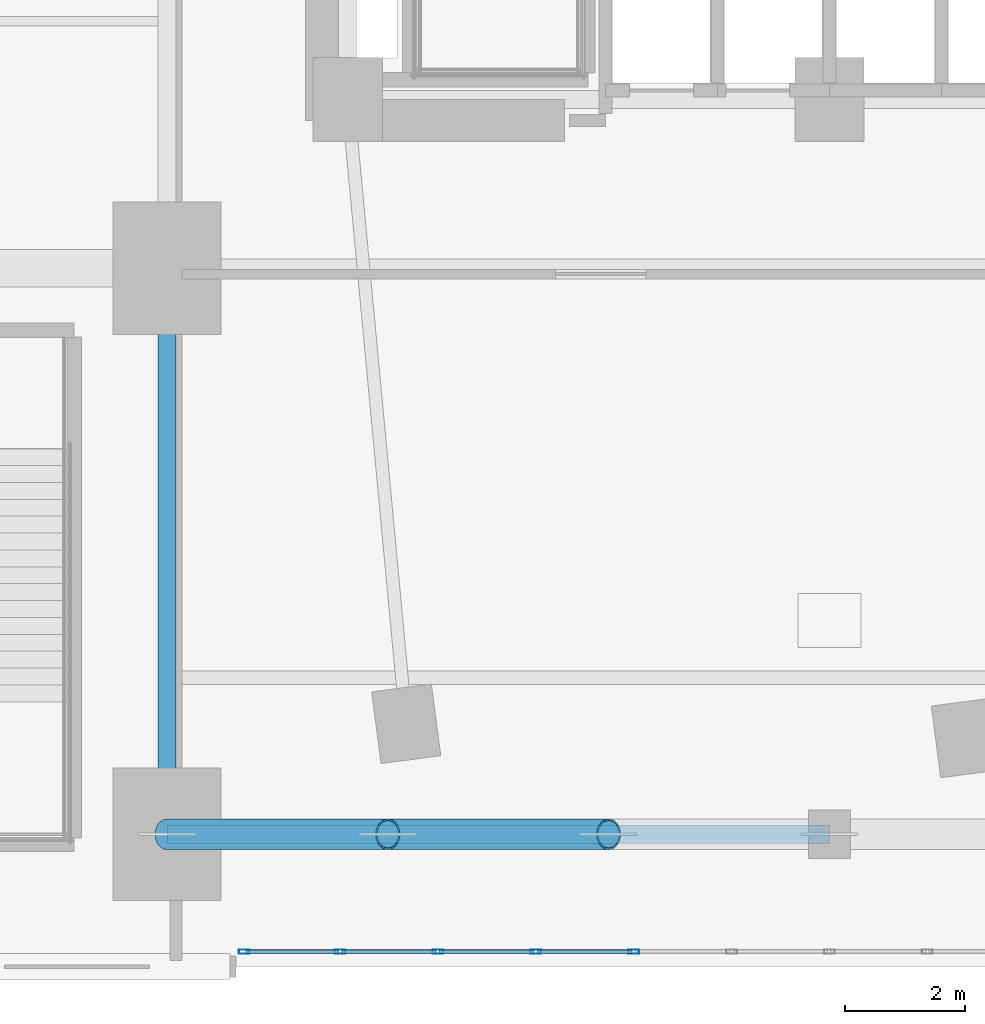
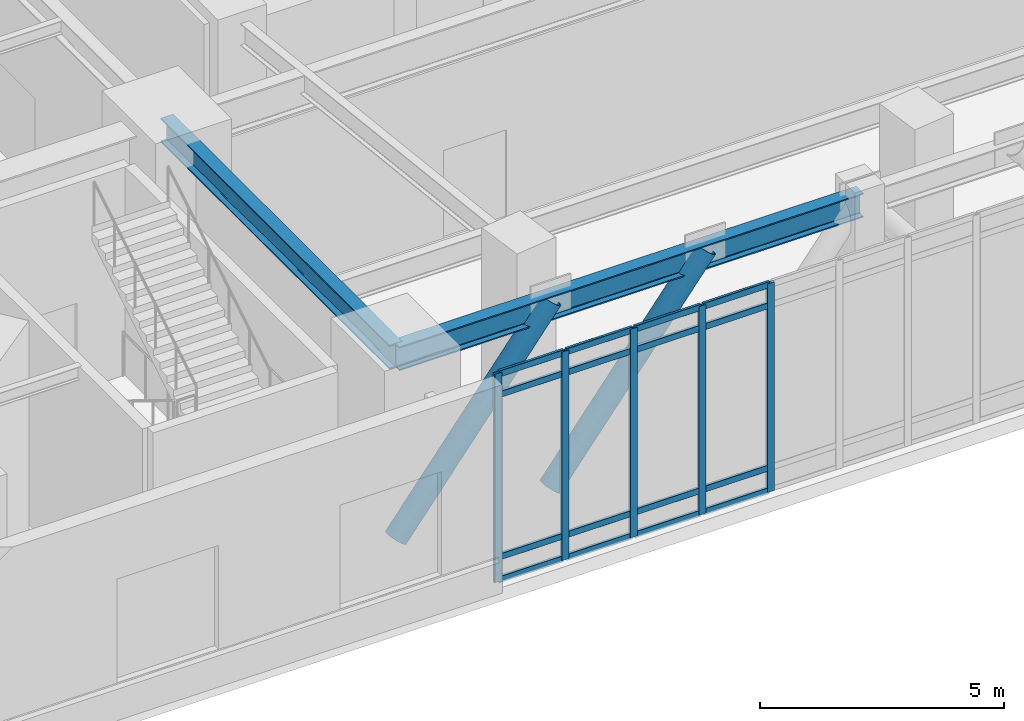
# One storey, part 2 of 19: 23 members, 2 beams, 1 element without a shape of its own.
"""IFC4 building model written with IfcOpenShell, lengths in metres."""

from ifc_helpers import new_model, si_unit, direction, frame, origin, origin_2d, place, context, subcontext, project, spatial, hollow_rectangle, hollow_circle, i_section, extrude, material, layer, layer_set, material_profile, profile_set, type_object, element, aggregate, save


model = new_model("IFC4")

# Units and contexts
model_context = context("Model", 3, precision=1e-05, world=origin(), true_north=direction((0.0, 1.0)))
body_context = subcontext(model_context, "Body", "Model", "MODEL_VIEW")
ifc_project = project(units=[si_unit("LENGTHUNIT", "METRE"), si_unit("AREAUNIT", "SQUARE_METRE"), si_unit("VOLUMEUNIT", "CUBIC_METRE"), si_unit("PLANEANGLEUNIT", "RADIAN"), si_unit("MASSUNIT", "GRAM", prefix="KILO")], contexts=[model_context])

# Site, building, storey
site_placement = place(None, origin())
site = spatial("IfcSite", under=ifc_project, at=site_placement, CompositionType="ELEMENT")
building_placement = place(site_placement, origin())
building = spatial("IfcBuilding", under=site, at=building_placement, Name="Ndelora Gate Hotel", CompositionType="ELEMENT")
storey_placement = place(building_placement, frame((0.0, 0.0, 16.0)))
storey = spatial("IfcBuildingStorey", under=building, at=storey_placement, Name="L03", CompositionType="ELEMENT", Elevation=16.0)

# Beams
ifc_material_1 = material(Name="Steel S355", Category="steel")
ifc_material_profile_1 = material_profile(ifc_material_1, i_section(OverallWidth=0.300048828125, OverallDepth=0.60009765625, WebThickness=0.015380859375, FlangeThickness=0.030029296875, FilletRadius=0.027099609375, at=origin_2d()), Name="HEB 600")
ifc_profile_set_1 = profile_set([ifc_material_profile_1], Name="Steel S355")
beam_type = type_object("IfcBeamType", Name="BM-POD-600", PredefinedType="BEAM", material=ifc_profile_set_1)
beam_1_placement = place(storey_placement, frame((-11.0, -18.800048828125, 4.919921875), z_axis=(0.0, 1.0, 0.0), x_axis=(-1.0, 0.0, 0.0)))
element("IfcBeam", 1, at=beam_1_placement, inside=storey, type_object=beam_type, Name="L03 Podium Longitudinal Girder X=-11.0", PredefinedType="BEAM", context=body_context, shape_type="SweptSolid", body=[
    extrude(i_section(OverallWidth=0.300048828125, OverallDepth=0.60009765625, WebThickness=0.015380859375, FlangeThickness=0.030029296875, FilletRadius=0.027099609375, at=origin_2d()), origin(), (0.0, 0.0, 1.0), 9.400146484375),
])
beam_2_placement = place(storey_placement, frame((-11.0, -18.800048828125, 4.919921875), z_axis=(1.0, 0.0, 0.0), x_axis=(0.0, 1.0, 0.0)))
element("IfcBeam", 2, at=beam_2_placement, inside=storey, type_object=beam_type, Name="L03 Podium Transverse Girder Y=-18.8", PredefinedType="BEAM", context=body_context, shape_type="SweptSolid", body=[
    extrude(i_section(OverallWidth=0.300048828125, OverallDepth=0.60009765625, WebThickness=0.015380859375, FlangeThickness=0.030029296875, FilletRadius=0.027099609375, at=origin_2d()), origin(), (0.0, 0.0, 1.0), 11.0),
])

# Curtain wall, members
ifc_material_2 = material(Name="Bronze Anodised Unitised Aluminium and Low-E Glass", Category="aluminium")
ifc_layer = layer(ifc_material_2, 0.219970703125)
ifc_layer_set = layer_set([ifc_layer], Name="Bronze Anodised Unitised Aluminium and Low-E Glass")
curtain_wall_type = type_object("IfcCurtainWallType", Name="CW-SYS-2", PredefinedType="NOTDEFINED", material=ifc_layer_set)
curtain_wall_placement = place(storey_placement, origin())
curtain_wall = element("IfcCurtainWall", 3, at=curtain_wall_placement, inside=storey, type_object=curtain_wall_type, Name="L03 South Podium Foyer Curtain Wall CW2", PredefinedType="NOTDEFINED")
ifc_material_3 = material(Name="Bronze Anodised Aluminium 6063-T6", Category="aluminium")
ifc_material_profile_2 = material_profile(ifc_material_3, hollow_rectangle(XDim=0.070068359375, YDim=0.179931640625, WallThickness=0.0048828125, InnerFilletRadius=0.0048828125, OuterFilletRadius=0.010009765625, at=origin_2d()), Name="ALU 180x70x5")
ifc_profile_set_2 = profile_set([ifc_material_profile_2], Name="Bronze Anodised Aluminium 6063-T6")
member_type_1 = type_object("IfcMemberType", Name="MB-CW-MUL180", PredefinedType="MULLION", material=ifc_profile_set_2)
member_1_placement = place(storey_placement, frame((-9.715087890625, -20.75, -0.00390625), z_axis=(0.0, 0.0, 1.0), x_axis=(0.0, 1.0, 0.0)))
member_1 = element("IfcMember", 4, at=member_1_placement, type_object=member_type_1, Name="CW2 mullion 1", PredefinedType="MULLION", context=body_context, shape_type="SweptSolid", body=[
    extrude(hollow_rectangle(XDim=0.070068359375, YDim=0.179931640625, WallThickness=0.0048828125, InnerFilletRadius=0.0048828125, OuterFilletRadius=0.010009765625, at=origin_2d()), origin(), (0.0, 0.0, 1.0), 5.22802734375),
])
member_2_placement = place(storey_placement, frame((-8.125, -20.75, -0.00390625), z_axis=(0.0, 0.0, 1.0), x_axis=(0.0, 1.0, 0.0)))
member_2 = element("IfcMember", 5, at=member_2_placement, type_object=member_type_1, Name="CW2 mullion 2", PredefinedType="MULLION", context=body_context, shape_type="SweptSolid", body=[
    extrude(hollow_rectangle(XDim=0.070068359375, YDim=0.179931640625, WallThickness=0.0048828125, InnerFilletRadius=0.0048828125, OuterFilletRadius=0.010009765625, at=origin_2d()), origin(), (0.0, 0.0, 1.0), 5.22802734375),
])
member_3_placement = place(storey_placement, frame((-6.5, -20.75, -0.00390625), z_axis=(0.0, 0.0, 1.0), x_axis=(0.0, 1.0, 0.0)))
member_3 = element("IfcMember", 6, at=member_3_placement, type_object=member_type_1, Name="CW2 mullion 3", PredefinedType="MULLION", context=body_context, shape_type="SweptSolid", body=[
    extrude(hollow_rectangle(XDim=0.070068359375, YDim=0.179931640625, WallThickness=0.0048828125, InnerFilletRadius=0.0048828125, OuterFilletRadius=0.010009765625, at=origin_2d()), origin(), (0.0, 0.0, 1.0), 5.22802734375),
])
member_4_placement = place(storey_placement, frame((-4.875, -20.75, -0.00390625), z_axis=(0.0, 0.0, 1.0), x_axis=(0.0, 1.0, 0.0)))
member_4 = element("IfcMember", 7, at=member_4_placement, type_object=member_type_1, Name="CW2 mullion 4", PredefinedType="MULLION", context=body_context, shape_type="SweptSolid", body=[
    extrude(hollow_rectangle(XDim=0.070068359375, YDim=0.179931640625, WallThickness=0.0048828125, InnerFilletRadius=0.0048828125, OuterFilletRadius=0.010009765625, at=origin_2d()), origin(), (0.0, 0.0, 1.0), 5.22802734375),
])
member_5_placement = place(storey_placement, frame((-3.25, -20.75, -0.00390625), z_axis=(0.0, 0.0, 1.0), x_axis=(0.0, 1.0, 0.0)))
member_5 = element("IfcMember", 8, at=member_5_placement, type_object=member_type_1, Name="CW2 mullion 5", PredefinedType="MULLION", context=body_context, shape_type="SweptSolid", body=[
    extrude(hollow_rectangle(XDim=0.070068359375, YDim=0.179931640625, WallThickness=0.0048828125, InnerFilletRadius=0.0048828125, OuterFilletRadius=0.010009765625, at=origin_2d()), origin(), (0.0, 0.0, 1.0), 5.22802734375),
])
ifc_material_profile_3 = material_profile(ifc_material_3, hollow_rectangle(XDim=0.06494140625, YDim=0.159912109375, WallThickness=0.00390625, InnerFilletRadius=0.00390625, OuterFilletRadius=0.008056640625, at=origin_2d()), Name="ALU 160x65x4")
ifc_profile_set_3 = profile_set([ifc_material_profile_3], Name="Bronze Anodised Aluminium 6063-T6")
member_type_2 = type_object("IfcMemberType", Name="MB-CW-TRN150", PredefinedType="USERDEFINED", material=ifc_profile_set_3)
member_6_placement = place(storey_placement, frame((-9.68603515625, -20.75, 0.032470703125), z_axis=(1.0, 0.0, 0.0), x_axis=(0.0, 1.0, 0.0)))
member_6 = element("IfcMember", 9, at=member_6_placement, type_object=member_type_2, Name="CW2 transom 1.1", ObjectType="TRANSOM", PredefinedType="USERDEFINED", context=body_context, shape_type="SweptSolid", body=[
    extrude(hollow_rectangle(XDim=0.06494140625, YDim=0.159912109375, WallThickness=0.00390625, InnerFilletRadius=0.00390625, OuterFilletRadius=0.008056640625, at=origin_2d()), origin(), (0.0, 0.0, 1.0), 1.531982421875),
])
member_7_placement = place(storey_placement, frame((-9.68603515625, -20.75, 0.60009765625), z_axis=(1.0, 0.0, 0.0), x_axis=(0.0, 1.0, 0.0)))
member_7 = element("IfcMember", 10, at=member_7_placement, type_object=member_type_2, Name="CW2 transom 1.2", ObjectType="TRANSOM", PredefinedType="USERDEFINED", context=body_context, shape_type="SweptSolid", body=[
    extrude(hollow_rectangle(XDim=0.06494140625, YDim=0.159912109375, WallThickness=0.00390625, InnerFilletRadius=0.00390625, OuterFilletRadius=0.008056640625, at=origin_2d()), origin(), (0.0, 0.0, 1.0), 1.531982421875),
])
member_8_placement = place(storey_placement, frame((-9.68603515625, -20.75, 4.669921875), z_axis=(1.0, 0.0, 0.0), x_axis=(0.0, 1.0, 0.0)))
member_8 = element("IfcMember", 11, at=member_8_placement, type_object=member_type_2, Name="CW2 transom 1.3", ObjectType="TRANSOM", PredefinedType="USERDEFINED", context=body_context, shape_type="SweptSolid", body=[
    extrude(hollow_rectangle(XDim=0.06494140625, YDim=0.159912109375, WallThickness=0.00390625, InnerFilletRadius=0.00390625, OuterFilletRadius=0.008056640625, at=origin_2d()), origin(), (0.0, 0.0, 1.0), 1.531982421875),
])
member_9_placement = place(storey_placement, frame((-9.68603515625, -20.75, 5.1875), z_axis=(1.0, 0.0, 0.0), x_axis=(0.0, 1.0, 0.0)))
member_9 = element("IfcMember", 12, at=member_9_placement, type_object=member_type_2, Name="CW2 transom 1.4", ObjectType="TRANSOM", PredefinedType="USERDEFINED", context=body_context, shape_type="SweptSolid", body=[
    extrude(hollow_rectangle(XDim=0.06494140625, YDim=0.159912109375, WallThickness=0.00390625, InnerFilletRadius=0.00390625, OuterFilletRadius=0.008056640625, at=origin_2d()), origin(), (0.0, 0.0, 1.0), 1.531982421875),
])
member_10_placement = place(storey_placement, frame((-8.095947265625, -20.75, 0.032470703125), z_axis=(1.0, 0.0, 0.0), x_axis=(0.0, 1.0, 0.0)))
member_10 = element("IfcMember", 13, at=member_10_placement, type_object=member_type_2, Name="CW2 transom 2.1", ObjectType="TRANSOM", PredefinedType="USERDEFINED", context=body_context, shape_type="SweptSolid", body=[
    extrude(hollow_rectangle(XDim=0.06494140625, YDim=0.159912109375, WallThickness=0.00390625, InnerFilletRadius=0.00390625, OuterFilletRadius=0.008056640625, at=origin_2d()), origin(), (0.0, 0.0, 1.0), 1.56689453125),
])
member_11_placement = place(storey_placement, frame((-8.095947265625, -20.75, 0.60009765625), z_axis=(1.0, 0.0, 0.0), x_axis=(0.0, 1.0, 0.0)))
member_11 = element("IfcMember", 14, at=member_11_placement, type_object=member_type_2, Name="CW2 transom 2.2", ObjectType="TRANSOM", PredefinedType="USERDEFINED", context=body_context, shape_type="SweptSolid", body=[
    extrude(hollow_rectangle(XDim=0.06494140625, YDim=0.159912109375, WallThickness=0.00390625, InnerFilletRadius=0.00390625, OuterFilletRadius=0.008056640625, at=origin_2d()), origin(), (0.0, 0.0, 1.0), 1.56689453125),
])
member_12_placement = place(storey_placement, frame((-8.095947265625, -20.75, 4.669921875), z_axis=(1.0, 0.0, 0.0), x_axis=(0.0, 1.0, 0.0)))
member_12 = element("IfcMember", 15, at=member_12_placement, type_object=member_type_2, Name="CW2 transom 2.3", ObjectType="TRANSOM", PredefinedType="USERDEFINED", context=body_context, shape_type="SweptSolid", body=[
    extrude(hollow_rectangle(XDim=0.06494140625, YDim=0.159912109375, WallThickness=0.00390625, InnerFilletRadius=0.00390625, OuterFilletRadius=0.008056640625, at=origin_2d()), origin(), (0.0, 0.0, 1.0), 1.56689453125),
])
member_13_placement = place(storey_placement, frame((-8.095947265625, -20.75, 5.1875), z_axis=(1.0, 0.0, 0.0), x_axis=(0.0, 1.0, 0.0)))
member_13 = element("IfcMember", 16, at=member_13_placement, type_object=member_type_2, Name="CW2 transom 2.4", ObjectType="TRANSOM", PredefinedType="USERDEFINED", context=body_context, shape_type="SweptSolid", body=[
    extrude(hollow_rectangle(XDim=0.06494140625, YDim=0.159912109375, WallThickness=0.00390625, InnerFilletRadius=0.00390625, OuterFilletRadius=0.008056640625, at=origin_2d()), origin(), (0.0, 0.0, 1.0), 1.56689453125),
])
member_14_placement = place(storey_placement, frame((-6.470947265625, -20.75, 0.032470703125), z_axis=(1.0, 0.0, 0.0), x_axis=(0.0, 1.0, 0.0)))
member_14 = element("IfcMember", 17, at=member_14_placement, type_object=member_type_2, Name="CW2 transom 3.1", ObjectType="TRANSOM", PredefinedType="USERDEFINED", context=body_context, shape_type="SweptSolid", body=[
    extrude(hollow_rectangle(XDim=0.06494140625, YDim=0.159912109375, WallThickness=0.00390625, InnerFilletRadius=0.00390625, OuterFilletRadius=0.008056640625, at=origin_2d()), origin(), (0.0, 0.0, 1.0), 1.56689453125),
])
member_15_placement = place(storey_placement, frame((-6.470947265625, -20.75, 0.60009765625), z_axis=(1.0, 0.0, 0.0), x_axis=(0.0, 1.0, 0.0)))
member_15 = element("IfcMember", 18, at=member_15_placement, type_object=member_type_2, Name="CW2 transom 3.2", ObjectType="TRANSOM", PredefinedType="USERDEFINED", context=body_context, shape_type="SweptSolid", body=[
    extrude(hollow_rectangle(XDim=0.06494140625, YDim=0.159912109375, WallThickness=0.00390625, InnerFilletRadius=0.00390625, OuterFilletRadius=0.008056640625, at=origin_2d()), origin(), (0.0, 0.0, 1.0), 1.56689453125),
])
member_16_placement = place(storey_placement, frame((-6.470947265625, -20.75, 4.669921875), z_axis=(1.0, 0.0, 0.0), x_axis=(0.0, 1.0, 0.0)))
member_16 = element("IfcMember", 19, at=member_16_placement, type_object=member_type_2, Name="CW2 transom 3.3", ObjectType="TRANSOM", PredefinedType="USERDEFINED", context=body_context, shape_type="SweptSolid", body=[
    extrude(hollow_rectangle(XDim=0.06494140625, YDim=0.159912109375, WallThickness=0.00390625, InnerFilletRadius=0.00390625, OuterFilletRadius=0.008056640625, at=origin_2d()), origin(), (0.0, 0.0, 1.0), 1.56689453125),
])
member_17_placement = place(storey_placement, frame((-6.470947265625, -20.75, 5.1875), z_axis=(1.0, 0.0, 0.0), x_axis=(0.0, 1.0, 0.0)))
member_17 = element("IfcMember", 20, at=member_17_placement, type_object=member_type_2, Name="CW2 transom 3.4", ObjectType="TRANSOM", PredefinedType="USERDEFINED", context=body_context, shape_type="SweptSolid", body=[
    extrude(hollow_rectangle(XDim=0.06494140625, YDim=0.159912109375, WallThickness=0.00390625, InnerFilletRadius=0.00390625, OuterFilletRadius=0.008056640625, at=origin_2d()), origin(), (0.0, 0.0, 1.0), 1.56689453125),
])
member_18_placement = place(storey_placement, frame((-4.845947265625, -20.75, 0.032470703125), z_axis=(1.0, 0.0, 0.0), x_axis=(0.0, 1.0, 0.0)))
member_18 = element("IfcMember", 21, at=member_18_placement, type_object=member_type_2, Name="CW2 transom 4.1", ObjectType="TRANSOM", PredefinedType="USERDEFINED", context=body_context, shape_type="SweptSolid", body=[
    extrude(hollow_rectangle(XDim=0.06494140625, YDim=0.159912109375, WallThickness=0.00390625, InnerFilletRadius=0.00390625, OuterFilletRadius=0.008056640625, at=origin_2d()), origin(), (0.0, 0.0, 1.0), 1.56689453125),
])
member_19_placement = place(storey_placement, frame((-4.845947265625, -20.75, 0.60009765625), z_axis=(1.0, 0.0, 0.0), x_axis=(0.0, 1.0, 0.0)))
member_19 = element("IfcMember", 22, at=member_19_placement, type_object=member_type_2, Name="CW2 transom 4.2", ObjectType="TRANSOM", PredefinedType="USERDEFINED", context=body_context, shape_type="SweptSolid", body=[
    extrude(hollow_rectangle(XDim=0.06494140625, YDim=0.159912109375, WallThickness=0.00390625, InnerFilletRadius=0.00390625, OuterFilletRadius=0.008056640625, at=origin_2d()), origin(), (0.0, 0.0, 1.0), 1.56689453125),
])
member_20_placement = place(storey_placement, frame((-4.845947265625, -20.75, 4.669921875), z_axis=(1.0, 0.0, 0.0), x_axis=(0.0, 1.0, 0.0)))
member_20 = element("IfcMember", 23, at=member_20_placement, type_object=member_type_2, Name="CW2 transom 4.3", ObjectType="TRANSOM", PredefinedType="USERDEFINED", context=body_context, shape_type="SweptSolid", body=[
    extrude(hollow_rectangle(XDim=0.06494140625, YDim=0.159912109375, WallThickness=0.00390625, InnerFilletRadius=0.00390625, OuterFilletRadius=0.008056640625, at=origin_2d()), origin(), (0.0, 0.0, 1.0), 1.56689453125),
])
member_21_placement = place(storey_placement, frame((-4.845947265625, -20.75, 5.1875), z_axis=(1.0, 0.0, 0.0), x_axis=(0.0, 1.0, 0.0)))
member_21 = element("IfcMember", 24, at=member_21_placement, type_object=member_type_2, Name="CW2 transom 4.4", ObjectType="TRANSOM", PredefinedType="USERDEFINED", context=body_context, shape_type="SweptSolid", body=[
    extrude(hollow_rectangle(XDim=0.06494140625, YDim=0.159912109375, WallThickness=0.00390625, InnerFilletRadius=0.00390625, OuterFilletRadius=0.008056640625, at=origin_2d()), origin(), (0.0, 0.0, 1.0), 1.56689453125),
])
aggregate(curtain_wall, [member_1, member_2, member_3, member_4, member_5, member_6, member_7, member_8, member_9, member_10, member_11, member_12, member_13, member_14, member_15, member_16, member_17, member_18, member_19, member_20, member_21])

# Members
ifc_material_4 = material(Name="Steel S460", Category="steel")
ifc_material_profile_4 = material_profile(ifc_material_4, hollow_circle(Radius=0.25390625, WallThickness=0.028076171875, at=origin_2d()), Name="CHS 508x28")
ifc_profile_set_4 = profile_set([ifc_material_profile_4], Name="Steel S460")
member_type_3 = type_object("IfcMemberType", Name="MB-OUT-508", PredefinedType="BRACE", material=ifc_profile_set_4)
member_22_placement = place(storey_placement, frame((-11.0, -18.800048828125, 0.35009765625), z_axis=(0.61511378827, 0.0, 0.788438347292), x_axis=(0.0, 1.0, 0.0)))
element("IfcMember", 25, at=member_22_placement, inside=storey, type_object=member_type_3, Name="L03 Portal Arch Crown Transfer Diagonal S-1", PredefinedType="BRACE", context=body_context, shape_type="SweptSolid", body=[
    extrude(hollow_circle(Radius=0.25390625, WallThickness=0.028076171875, at=origin_2d()), origin(), (0.0, 0.0, 1.0), 5.961181640625),
])
member_23_placement = place(storey_placement, frame((-7.333251953125, -18.800048828125, 0.35009765625), z_axis=(0.615088327804, 0.0, 0.788458210052), x_axis=(0.0, 1.0, 0.0)))
element("IfcMember", 26, at=member_23_placement, inside=storey, type_object=member_type_3, Name="L03 Portal Arch Crown Transfer Diagonal S-2", PredefinedType="BRACE", context=body_context, shape_type="SweptSolid", body=[
    extrude(hollow_circle(Radius=0.25390625, WallThickness=0.028076171875, at=origin_2d()), origin(), (0.0, 0.0, 1.0), 5.9609375),
])

save(model, "model.ifc")
